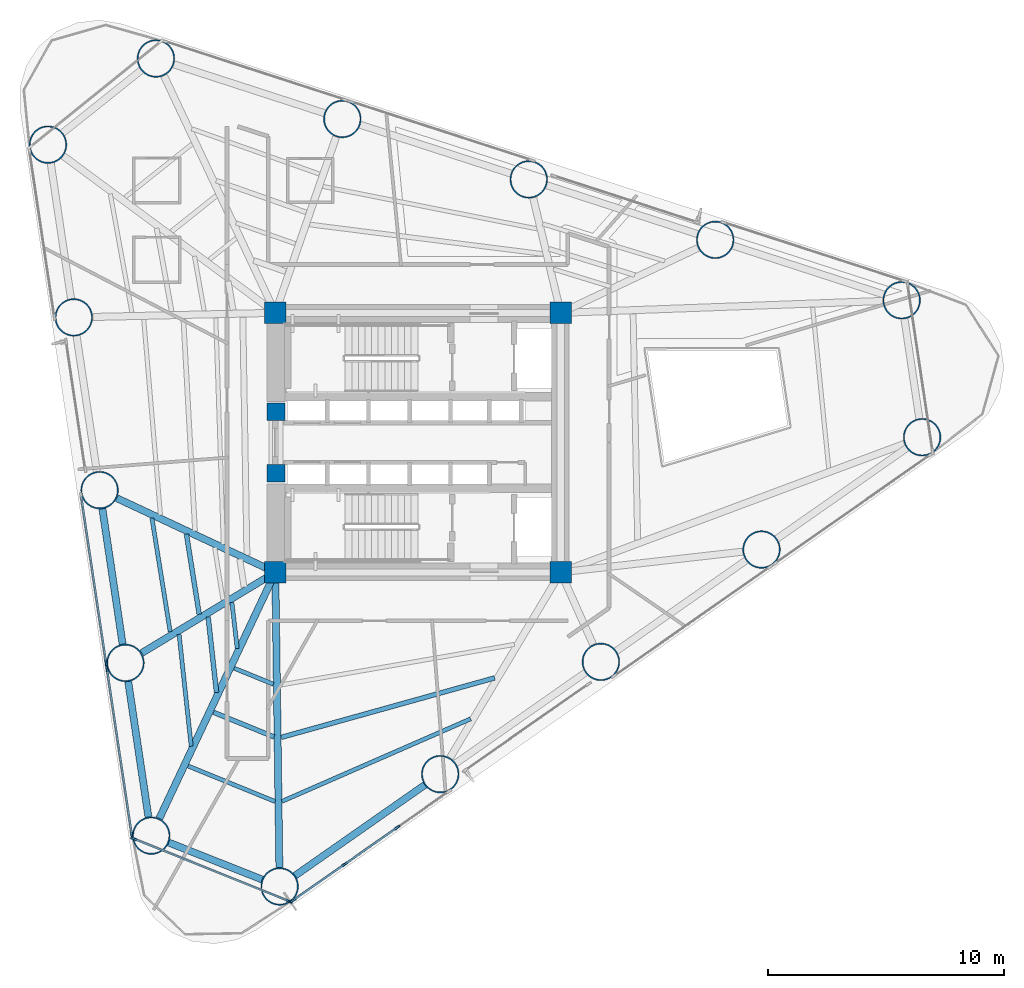
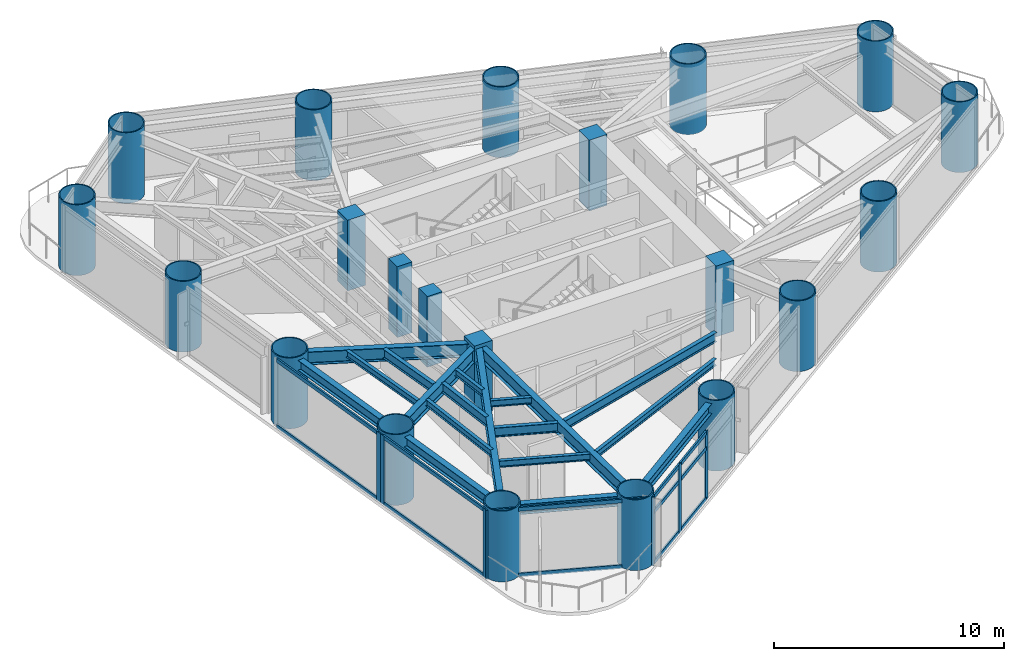
# One storey, part 1 of 9: 21 columns, 20 members, 18 beams, 4 elements without a shape of their own.
"""IFC4 building model written with IfcOpenShell, lengths in metres."""

from ifc_helpers import new_model, si_unit, direction, frame, origin, origin_2d, place, context, subcontext, project, spatial, rectangle, hollow_circle, i_section, extrude, source, transform, mapped, material, layer, layer_set, material_profile, profile_set, type_object, element, aggregate, save


model = new_model("IFC4")

# Units and contexts
model_context = context("Model", 3, precision=1e-05, world=origin(), true_north=direction((0.0, 1.0)))
body_context = subcontext(model_context, "Body", "Model", "MODEL_VIEW")
ifc_project = project(units=[si_unit("LENGTHUNIT", "METRE"), si_unit("AREAUNIT", "SQUARE_METRE"), si_unit("VOLUMEUNIT", "CUBIC_METRE"), si_unit("PLANEANGLEUNIT", "RADIAN"), si_unit("MASSUNIT", "GRAM", prefix="KILO")], contexts=[model_context])

# Site, building, storey
site_placement = place(None, origin())
site = spatial("IfcSite", under=ifc_project, at=site_placement, CompositionType="ELEMENT")
building_placement = place(site_placement, origin())
building = spatial("IfcBuilding", under=site, at=building_placement, Name="Yunling Apex Tower", CompositionType="ELEMENT")
storey_placement = place(building_placement, frame((0.0, 0.0, 66.050048828125)))
storey = spatial("IfcBuildingStorey", under=building, at=storey_placement, Name="L17", CompositionType="ELEMENT", Elevation=66.050048828125)

# Columns
ifc_material_1 = material(Name="Concrete C60", Category="concrete")
ifc_material_profile_1 = material_profile(ifc_material_1, rectangle(XDim=0.89990234375, YDim=0.89990234375, at=origin_2d()))
ifc_profile_set_1 = profile_set([ifc_material_profile_1], Name="Concrete C60")
column_type_1 = type_object("IfcColumnType", Name="PC-SRC-3", PredefinedType="COLUMN", material=ifc_profile_set_1)
shared_shape_1 = source(origin(), body_context, "Body", "SweptSolid", [
    extrude(rectangle(XDim=0.89990234375, YDim=0.89990234375, at=origin_2d()), origin(), (0.0, 0.0, 1.0), 3.75),
])
for number, where, z_axis, x_axis, name in (
    (1, (-6.050048828125, -5.5, 0.0), (0.0, 0.0, 1.0), (1.0, 0.0, 0.0), "L17 Core Spine Column CC-SW"),
    (2, (6.050048828125, -5.5, 0.0), (0.0, 0.0, 1.0), (1.0, 0.0, 0.0), "L17 Core Spine Column CC-SE"),
    (3, (6.050048828125, 5.5, 0.0), (0.0, 0.0, 1.0), (1.0, 0.0, 0.0), "L17 Core Spine Column CC-NE"),
    (4, (-6.050048828125, 5.5, 0.0), (0.0, 0.0, 1.0), (1.0, 0.0, 0.0), "L17 Core Spine Column CC-NW"),
):
    element("IfcColumn", number, at=place(storey_placement, frame(where, z_axis=z_axis, x_axis=x_axis)), inside=storey, type_object=column_type_1, Name=name, PredefinedType="COLUMN", context=body_context, shape_type="MappedRepresentation", body=[
        mapped(shared_shape_1, transform((0.0, 0.0, 0.0), scale=1.0)),
    ])
ifc_material_2 = material(Name="Concrete C50", Category="concrete")
ifc_material_profile_2 = material_profile(ifc_material_2, rectangle(XDim=0.75, YDim=0.75, at=origin_2d()))
ifc_profile_set_2 = profile_set([ifc_material_profile_2], Name="Concrete C50")
column_type_2 = type_object("IfcColumnType", Name="PC-SRC-4", PredefinedType="COLUMN", material=ifc_profile_set_2)
shared_shape_2 = source(origin(), body_context, "Body", "SweptSolid", [
    extrude(rectangle(XDim=0.75, YDim=0.75, at=origin_2d()), origin(), (0.0, 0.0, 1.0), 3.75),
])
for number, where, z_axis, x_axis, name in (
    (5, (-6.02490234375, -1.300048828125, 0.0), (0.0, 0.0, 1.0), (1.0, 0.0, 0.0), "L17 Core West Portal Jamb Column S"),
    (6, (-6.02490234375, 1.300048828125, 0.0), (0.0, 0.0, 1.0), (1.0, 0.0, 0.0), "L17 Core West Portal Jamb Column N"),
):
    element("IfcColumn", number, at=place(storey_placement, frame(where, z_axis=z_axis, x_axis=x_axis)), inside=storey, type_object=column_type_2, Name=name, PredefinedType="COLUMN", context=body_context, shape_type="MappedRepresentation", body=[
        mapped(shared_shape_2, transform((0.0, 0.0, 0.0), scale=1.0)),
    ])
ifc_material_3 = material(Name="Steel Q390GJC", Category="steel")
ifc_material_profile_3 = material_profile(ifc_material_3, hollow_circle(Radius=0.800048828125, WallThickness=0.054931640625, at=origin_2d()))
ifc_profile_set_3 = profile_set([ifc_material_profile_3], Name="Steel Q390GJC")
column_type_3 = type_object("IfcColumnType", Name="MC-CFST-1", PredefinedType="COLUMN", material=ifc_profile_set_3)
shared_shape_3 = source(origin(), body_context, "Body", "SweptSolid", [
    extrude(hollow_circle(Radius=0.800048828125, WallThickness=0.054931640625, at=origin_2d()), origin(), (0.0, 0.0, 1.0), 3.75),
])
for number, where, z_axis, x_axis, name in (
    (7, (-5.8681640625, -18.8193359375, 0.0), (0.0, 0.0, 1.0), (1.0, 0.0, 0.0), "L17 Perimeter CFST Mega-Column P01"),
    (8, (0.941650390625, -14.05810546875, 0.0), (0.0, 0.0, 1.0), (1.0, 0.0, 0.0), "L17 Perimeter CFST Mega-Column P02"),
    (9, (7.751708984375, -9.296875, 0.0), (0.0, 0.0, 1.0), (1.0, 0.0, 0.0), "L17 Perimeter CFST Mega-Column P03"),
    (10, (14.5615234375, -4.535400390625, 0.0), (0.0, 0.0, 1.0), (1.0, 0.0, 0.0), "L17 Perimeter CFST Mega-Column P04"),
    (11, (21.371337890625, 0.225830078125, 0.0), (0.0, 0.0, 1.0), (1.0, 0.0, 0.0), "L17 Perimeter CFST Mega-Column P05"),
    (12, (20.50341796875, 6.032470703125, 0.0), (0.0, 0.0, 1.0), (1.0, 0.0, 0.0), "L17 Perimeter CFST Mega-Column P06"),
    (13, (12.59912109375, 8.594482421875, 0.0), (0.0, 0.0, 1.0), (1.0, 0.0, 0.0), "L17 Perimeter CFST Mega-Column P07"),
    (14, (4.69482421875, 11.15673828125, 0.0), (0.0, 0.0, 1.0), (1.0, 0.0, 0.0), "L17 Perimeter CFST Mega-Column P08"),
    (15, (-3.209716796875, 13.718994140625, 0.0), (0.0, 0.0, 1.0), (1.0, 0.0, 0.0), "L17 Perimeter CFST Mega-Column P09"),
    (16, (-11.114013671875, 16.28125, 0.0), (0.0, 0.0, 1.0), (1.0, 0.0, 0.0), "L17 Perimeter CFST Mega-Column P10"),
    (17, (-15.689208984375, 12.62939453125, 0.0), (0.0, 0.0, 1.0), (1.0, 0.0, 0.0), "L17 Perimeter CFST Mega-Column P11"),
    (18, (-14.594482421875, 5.305908203125, 0.0), (0.0, 0.0, 1.0), (1.0, 0.0, 0.0), "L17 Perimeter CFST Mega-Column P12"),
    (19, (-13.5, -2.017578125, 0.0), (0.0, 0.0, 1.0), (1.0, 0.0, 0.0), "L17 Perimeter CFST Mega-Column P13"),
    (20, (-12.405517578125, -9.341064453125, 0.0), (0.0, 0.0, 1.0), (1.0, 0.0, 0.0), "L17 Perimeter CFST Mega-Column P14"),
    (21, (-11.31103515625, -16.66455078125, 0.0), (0.0, 0.0, 1.0), (1.0, 0.0, 0.0), "L17 Perimeter CFST Mega-Column P15"),
):
    element("IfcColumn", number, at=place(storey_placement, frame(where, z_axis=z_axis, x_axis=x_axis)), inside=storey, type_object=column_type_3, Name=name, PredefinedType="COLUMN", context=body_context, shape_type="MappedRepresentation", body=[
        mapped(shared_shape_3, transform((0.0, 0.0, 0.0), scale=1.0)),
    ])

# Beams
ifc_material_4 = material(Name="Steel Q355B", Category="steel")
ifc_material_profile_4 = material_profile(ifc_material_4, i_section(OverallWidth=0.300048828125, OverallDepth=0.5400390625, WebThickness=0.011962890625, FlangeThickness=0.02001953125, FilletRadius=0.02392578125, at=origin_2d()))
ifc_profile_set_4 = profile_set([ifc_material_profile_4], Name="Steel Q355B")
beam_type_1 = type_object("IfcBeamType", Name="BP-SPN-1", PredefinedType="SPANDREL", material=ifc_profile_set_4)
shared_shape_4 = source(origin(), body_context, "Body", "SweptSolid", [
    extrude(i_section(OverallWidth=0.300048828125, OverallDepth=0.5400390625, WebThickness=0.011962890625, FlangeThickness=0.02001953125, FilletRadius=0.02392578125, at=origin_2d()), origin(), (0.0, 0.0, 1.0), 6.721435546875),
])
beam_1_placement = place(storey_placement, frame((-5.217529296875, -18.364501953125, 3.294921875), z_axis=(0.81955772083, 0.572996633697, 0.0), x_axis=(-0.572996633697, 0.81955772083, 0.0)))
element("IfcBeam", 22, at=beam_1_placement, inside=storey, type_object=beam_type_1, Name="L17 Perimeter Spandrel Beam 1", PredefinedType="SPANDREL", context=body_context, shape_type="MappedRepresentation", body=[
    mapped(shared_shape_4, transform((0.0, 0.0, 0.0), scale=1.0)),
])
shared_shape_5 = source(origin(), body_context, "Body", "SweptSolid", [
    extrude(i_section(OverallWidth=0.300048828125, OverallDepth=0.5400390625, WebThickness=0.011962890625, FlangeThickness=0.02001953125, FilletRadius=0.02392578125, at=origin_2d()), origin(), (0.0, 0.0, 1.0), 4.265869140625),
])
beam_2_placement = place(storey_placement, frame((-10.57275390625, -16.956787109375, 3.294921875), z_axis=(0.929781313093, -0.368112360323, 0.0), x_axis=(0.368112360323, 0.929781313093, 0.0)))
element("IfcBeam", 23, at=beam_2_placement, inside=storey, type_object=beam_type_1, Name="L17 Perimeter Spandrel Beam 15", PredefinedType="SPANDREL", context=body_context, shape_type="MappedRepresentation", body=[
    mapped(shared_shape_5, transform((0.0, 0.0, 0.0), scale=1.0)),
])
shared_shape_6 = source(origin(), body_context, "Body", "SweptSolid", [
    extrude(i_section(OverallWidth=0.300048828125, OverallDepth=0.5400390625, WebThickness=0.011962890625, FlangeThickness=0.02001953125, FilletRadius=0.02392578125, at=origin_2d()), origin(), (0.0, 0.0, 1.0), 5.81689453125),
])
for number, where, z_axis, x_axis, name in (
    (24, (-13.3828125, -2.802978515625, 3.294921875), (0.147823230204, -0.989013797989, 0.0), (0.989013797989, 0.147823230204, 0.0), "L17 Perimeter Spandrel Beam 13"),
    (25, (-12.2880859375, -10.12646484375, 3.294921875), (0.14778217558, -0.989019933359, 0.0), (0.989019933359, 0.14778217558, 0.0), "L17 Perimeter Spandrel Beam 14"),
):
    element("IfcBeam", number, at=place(storey_placement, frame(where, z_axis=z_axis, x_axis=x_axis)), inside=storey, type_object=beam_type_1, Name=name, PredefinedType="SPANDREL", context=body_context, shape_type="MappedRepresentation", body=[
        mapped(shared_shape_6, transform((0.0, 0.0, 0.0), scale=1.0)),
    ])
ifc_material_profile_5 = material_profile(ifc_material_4, i_section(OverallWidth=0.300048828125, OverallDepth=0.699951171875, WebThickness=0.012939453125, FlangeThickness=0.02392578125, FilletRadius=0.02587890625, at=origin_2d()))
ifc_profile_set_5 = profile_set([ifc_material_profile_5], Name="Steel Q355B")
beam_type_2 = type_object("IfcBeamType", Name="BG-PRI-3", PredefinedType="USERDEFINED", material=ifc_profile_set_5)
shared_shape_7 = source(origin(), body_context, "Body", "SweptSolid", [
    extrude(i_section(OverallWidth=0.300048828125, OverallDepth=0.699951171875, WebThickness=0.012939453125, FlangeThickness=0.02392578125, FilletRadius=0.02587890625, at=origin_2d()), origin(), (0.0, 0.0, 1.0), 12.4326171875),
])
beam_3_placement = place(storey_placement, frame((-5.879150390625, -18.011474609375, 3.21484375), z_axis=(-0.013647857779, 0.999906863652, 0.0), x_axis=(-0.999906863652, -0.013647857779, 0.0)))
element("IfcBeam", 26, at=beam_3_placement, inside=storey, type_object=beam_type_2, Name="L17 Radial Primary Girder R01", ObjectType="GIRDER", PredefinedType="USERDEFINED", context=body_context, shape_type="MappedRepresentation", body=[
    mapped(shared_shape_7, transform((0.0, 0.0, 0.0), scale=1.0)),
])
shared_shape_8 = source(origin(), body_context, "Body", "SweptSolid", [
    extrude(i_section(OverallWidth=0.300048828125, OverallDepth=0.699951171875, WebThickness=0.012939453125, FlangeThickness=0.02392578125, FilletRadius=0.02587890625, at=origin_2d()), origin(), (0.0, 0.0, 1.0), 7.335693359375),
])
beam_4_placement = place(storey_placement, frame((-12.76806640625, -2.35986328125, 3.21484375), z_axis=(0.905923640783, -0.423441090437, 0.0), x_axis=(0.423441090437, 0.905923640783, 0.0)))
element("IfcBeam", 27, at=beam_4_placement, inside=storey, type_object=beam_type_2, Name="L17 Radial Primary Girder R13", ObjectType="GIRDER", PredefinedType="USERDEFINED", context=body_context, shape_type="MappedRepresentation", body=[
    mapped(shared_shape_8, transform((0.0, 0.0, 0.0), scale=1.0)),
])
shared_shape_9 = source(origin(), body_context, "Body", "SweptSolid", [
    extrude(i_section(OverallWidth=0.300048828125, OverallDepth=0.699951171875, WebThickness=0.012939453125, FlangeThickness=0.02392578125, FilletRadius=0.02587890625, at=origin_2d()), origin(), (0.0, 0.0, 1.0), 6.5380859375),
])
beam_5_placement = place(storey_placement, frame((-11.714111328125, -8.923095703125, 3.21484375), z_axis=(0.855857690559, 0.517211381847, 0.0), x_axis=(-0.517211381847, 0.855857690559, 0.0)))
element("IfcBeam", 28, at=beam_5_placement, inside=storey, type_object=beam_type_2, Name="L17 Radial Primary Girder R14", ObjectType="GIRDER", PredefinedType="USERDEFINED", context=body_context, shape_type="MappedRepresentation", body=[
    mapped(shared_shape_9, transform((0.0, 0.0, 0.0), scale=1.0)),
])
shared_shape_10 = source(origin(), body_context, "Body", "SweptSolid", [
    extrude(i_section(OverallWidth=0.300048828125, OverallDepth=0.699951171875, WebThickness=0.012939453125, FlangeThickness=0.02392578125, FilletRadius=0.02587890625, at=origin_2d()), origin(), (0.0, 0.0, 1.0), 11.4541015625),
])
beam_6_placement = place(storey_placement, frame((-10.966796875, -15.93359375, 3.21484375), z_axis=(0.426297901301, 0.904582831667, 0.0), x_axis=(-0.904582831667, 0.426297901301, 0.0)))
element("IfcBeam", 29, at=beam_6_placement, inside=storey, type_object=beam_type_2, Name="L17 Radial Primary Girder R15", ObjectType="GIRDER", PredefinedType="USERDEFINED", context=body_context, shape_type="MappedRepresentation", body=[
    mapped(shared_shape_10, transform((0.0, 0.0, 0.0), scale=1.0)),
])
ifc_material_profile_6 = material_profile(ifc_material_4, i_section(OverallWidth=0.199951171875, OverallDepth=0.5, WebThickness=0.010009765625, FlangeThickness=0.01611328125, FilletRadius=0.02001953125, at=origin_2d()))
ifc_profile_set_6 = profile_set([ifc_material_profile_6], Name="Steel Q355B")
beam_type_3 = type_object("IfcBeamType", Name="BS-SEC-2", PredefinedType="BEAM", material=ifc_profile_set_6)
shared_shape_11 = source(origin(), body_context, "Body", "SweptSolid", [
    extrude(i_section(OverallWidth=0.199951171875, OverallDepth=0.5, WebThickness=0.010009765625, FlangeThickness=0.01611328125, FilletRadius=0.02001953125, at=origin_2d()), origin(), (0.0, 0.0, 1.0), 9.3935546875),
])
beam_7_placement = place(storey_placement, frame((-5.7998046875, -12.498779296875, 3.31494140625), z_axis=(0.963300137935, 0.268426608693, 0.0), x_axis=(-0.268426608693, 0.963300137935, 0.0)))
element("IfcBeam", 30, at=beam_7_placement, inside=storey, type_object=beam_type_3, Name="L17 Composite Floor Beam BS-1", PredefinedType="BEAM", context=body_context, shape_type="MappedRepresentation", body=[
    mapped(shared_shape_11, transform((0.0, 0.0, 0.0), scale=1.0)),
])
ifc_material_profile_7 = material_profile(ifc_material_4, i_section(OverallWidth=0.175048828125, OverallDepth=0.35009765625, WebThickness=0.007080078125, FlangeThickness=0.010986328125, FilletRadius=0.013916015625, at=origin_2d()))
ifc_profile_set_7 = profile_set([ifc_material_profile_7], Name="Steel Q355B")
beam_type_4 = type_object("IfcBeamType", Name="BJ-JST-1", PredefinedType="JOIST", material=ifc_profile_set_7)
shared_shape_12 = source(origin(), body_context, "Body", "SweptSolid", [
    extrude(i_section(OverallWidth=0.175048828125, OverallDepth=0.35009765625, WebThickness=0.007080078125, FlangeThickness=0.010986328125, FilletRadius=0.013916015625, at=origin_2d()), origin(), (0.0, 0.0, 1.0), 8.734375),
])
beam_8_placement = place(storey_placement, frame((-5.77001953125, -15.21240234375, 3.389892578125), z_axis=(0.916252252871, 0.400601808668, 0.0), x_axis=(-0.400601808668, 0.916252252871, 0.0)))
element("IfcBeam", 31, at=beam_8_placement, inside=storey, type_object=beam_type_4, Name="L17 Composite Floor Joist BJ1-1", PredefinedType="JOIST", context=body_context, shape_type="MappedRepresentation", body=[
    mapped(shared_shape_12, transform((0.0, 0.0, 0.0), scale=1.0)),
])
shared_shape_13 = source(origin(), body_context, "Body", "SweptSolid", [
    extrude(i_section(OverallWidth=0.199951171875, OverallDepth=0.5, WebThickness=0.010009765625, FlangeThickness=0.01611328125, FilletRadius=0.02001953125, at=origin_2d()), origin(), (0.0, 0.0, 1.0), 3.435546875),
])
beam_9_placement = place(storey_placement, frame((-9.81884765625, -3.884521484375, 3.31494140625), z_axis=(0.157619096627, -0.987499985002, 0.0), x_axis=(0.987499985002, 0.157619096627, 0.0)))
element("IfcBeam", 32, at=beam_9_placement, inside=storey, type_object=beam_type_3, Name="L17 Composite Floor Beam BS-13", PredefinedType="BEAM", context=body_context, shape_type="MappedRepresentation", body=[
    mapped(shared_shape_13, transform((0.0, 0.0, 0.0), scale=1.0)),
])
shared_shape_14 = source(origin(), body_context, "Body", "SweptSolid", [
    extrude(i_section(OverallWidth=0.175048828125, OverallDepth=0.35009765625, WebThickness=0.007080078125, FlangeThickness=0.010986328125, FilletRadius=0.013916015625, at=origin_2d()), origin(), (0.0, 0.0, 1.0), 4.881591796875),
])
beam_10_placement = place(storey_placement, frame((-11.28076171875, -3.201171875, 3.389892578125), z_axis=(0.158240169421, -0.987400652614, 0.0), x_axis=(0.987400652614, 0.158240169421, 0.0)))
element("IfcBeam", 33, at=beam_10_placement, inside=storey, type_object=beam_type_4, Name="L17 Composite Floor Joist BJ1-13", PredefinedType="JOIST", context=body_context, shape_type="MappedRepresentation", body=[
    mapped(shared_shape_14, transform((0.0, 0.0, 0.0), scale=1.0)),
])
shared_shape_15 = source(origin(), body_context, "Body", "SweptSolid", [
    extrude(i_section(OverallWidth=0.199951171875, OverallDepth=0.5, WebThickness=0.010009765625, FlangeThickness=0.01611328125, FilletRadius=0.02001953125, at=origin_2d()), origin(), (0.0, 0.0, 1.0), 3.222412109375),
])
beam_11_placement = place(storey_placement, frame((-8.898681640625, -7.391357421875, 3.31494140625), z_axis=(0.110315104592, -0.993896663491, 0.0), x_axis=(0.993896663491, 0.110315104592, 0.0)))
element("IfcBeam", 34, at=beam_11_placement, inside=storey, type_object=beam_type_3, Name="L17 Composite Floor Beam BS-14", PredefinedType="BEAM", context=body_context, shape_type="MappedRepresentation", body=[
    mapped(shared_shape_15, transform((0.0, 0.0, 0.0), scale=1.0)),
])
shared_shape_16 = source(origin(), body_context, "Body", "SweptSolid", [
    extrude(i_section(OverallWidth=0.175048828125, OverallDepth=0.35009765625, WebThickness=0.007080078125, FlangeThickness=0.010986328125, FilletRadius=0.013916015625, at=origin_2d()), origin(), (0.0, 0.0, 1.0), 4.765869140625),
])
beam_12_placement = place(storey_placement, frame((-10.130126953125, -8.135498046875, 3.389892578125), z_axis=(0.107732282993, -0.994179941058, 0.0), x_axis=(0.994179941058, 0.107732282993, 0.0)))
element("IfcBeam", 35, at=beam_12_placement, inside=storey, type_object=beam_type_4, Name="L17 Composite Floor Joist BJ1-14", PredefinedType="JOIST", context=body_context, shape_type="MappedRepresentation", body=[
    mapped(shared_shape_16, transform((0.0, 0.0, 0.0), scale=1.0)),
])
shared_shape_17 = source(origin(), body_context, "Body", "SweptSolid", [
    extrude(i_section(OverallWidth=0.175048828125, OverallDepth=0.35009765625, WebThickness=0.007080078125, FlangeThickness=0.010986328125, FilletRadius=0.013916015625, at=origin_2d()), origin(), (0.0, 0.0, 1.0), 1.95947265625),
])
beam_13_placement = place(storey_placement, frame((-7.890625, -6.782470703125, 3.389892578125), z_axis=(0.11512063256, -0.993351518829, 0.0), x_axis=(0.993351518829, 0.11512063256, 0.0)))
element("IfcBeam", 36, at=beam_13_placement, inside=storey, type_object=beam_type_4, Name="L17 Composite Floor Joist BJ3-14", PredefinedType="JOIST", context=body_context, shape_type="MappedRepresentation", body=[
    mapped(shared_shape_17, transform((0.0, 0.0, 0.0), scale=1.0)),
])
shared_shape_18 = source(origin(), body_context, "Body", "SweptSolid", [
    extrude(i_section(OverallWidth=0.199951171875, OverallDepth=0.5, WebThickness=0.010009765625, FlangeThickness=0.01611328125, FilletRadius=0.02001953125, at=origin_2d()), origin(), (0.0, 0.0, 1.0), 2.77294921875),
])
beam_14_placement = place(storey_placement, frame((-8.670166015625, -11.43505859375, 3.31494140625), z_axis=(0.926108309986, -0.377257734413, 0.0), x_axis=(0.377257734413, 0.926108309986, 0.0)))
element("IfcBeam", 37, at=beam_14_placement, inside=storey, type_object=beam_type_3, Name="L17 Composite Floor Beam BS-15", PredefinedType="BEAM", context=body_context, shape_type="MappedRepresentation", body=[
    mapped(shared_shape_18, transform((0.0, 0.0, 0.0), scale=1.0)),
])
shared_shape_19 = source(origin(), body_context, "Body", "SweptSolid", [
    extrude(i_section(OverallWidth=0.175048828125, OverallDepth=0.35009765625, WebThickness=0.007080078125, FlangeThickness=0.010986328125, FilletRadius=0.013916015625, at=origin_2d()), origin(), (0.0, 0.0, 1.0), 3.97412109375),
])
beam_15_placement = place(storey_placement, frame((-9.744384765625, -13.714599609375, 3.389892578125), z_axis=(0.925887115862, -0.377800276178, 0.0), x_axis=(0.377800276178, 0.925887115862, 0.0)))
element("IfcBeam", 38, at=beam_15_placement, inside=storey, type_object=beam_type_4, Name="L17 Composite Floor Joist BJ1-15", PredefinedType="JOIST", context=body_context, shape_type="MappedRepresentation", body=[
    mapped(shared_shape_19, transform((0.0, 0.0, 0.0), scale=1.0)),
])
shared_shape_20 = source(origin(), body_context, "Body", "SweptSolid", [
    extrude(i_section(OverallWidth=0.175048828125, OverallDepth=0.35009765625, WebThickness=0.007080078125, FlangeThickness=0.010986328125, FilletRadius=0.013916015625, at=origin_2d()), origin(), (0.0, 0.0, 1.0), 1.790283203125),
])
beam_16_placement = place(storey_placement, frame((-7.791259765625, -9.56982421875, 3.389892578125), z_axis=(0.926469549023, -0.376369731425, 0.0), x_axis=(0.376369731425, 0.926469549023, 0.0)))
element("IfcBeam", 39, at=beam_16_placement, inside=storey, type_object=beam_type_4, Name="L17 Composite Floor Joist BJ3-15", PredefinedType="JOIST", context=body_context, shape_type="MappedRepresentation", body=[
    mapped(shared_shape_20, transform((0.0, 0.0, 0.0), scale=1.0)),
])

# Curtain wall, members
ifc_material_5 = material(Name="Bronze anodised aluminium", Category="aluminium")
ifc_layer = layer(ifc_material_5, 0.260009765625)
ifc_layer_set = layer_set([ifc_layer], Name="Bronze anodised aluminium")
curtain_wall_type = type_object("IfcCurtainWallType", Name="CW-SYS-2", PredefinedType="NOTDEFINED", material=ifc_layer_set)
curtain_wall_1_placement = place(storey_placement, origin())
curtain_wall_1 = element("IfcCurtainWall", 40, at=curtain_wall_1_placement, inside=storey, type_object=curtain_wall_type, Name="CW-L17-F1-B1", PredefinedType="NOTDEFINED")
ifc_material_profile_8 = material_profile(ifc_material_5, rectangle(XDim=0.0849609375, YDim=0.260009765625, at=origin_2d()))
ifc_profile_set_8 = profile_set([ifc_material_profile_8], Name="Bronze anodised aluminium")
member_type_1 = type_object("IfcMemberType", Name="CW-MUL-2", PredefinedType="MULLION", material=ifc_profile_set_8)
shared_shape_21 = source(origin(), body_context, "Body", "SweptSolid", [
    extrude(rectangle(XDim=0.0849609375, YDim=0.260009765625, at=origin_2d()), origin(), (0.0, 0.0, 1.0), 3.6650390625),
])
member_1_placement = place(storey_placement, frame((-5.3037109375, -19.412841796875, -0.050048828125), z_axis=(0.0, 0.0, 1.0), x_axis=(-0.573004358875, 0.819552319691, 0.0)))
member_1 = element("IfcMember", 41, at=member_1_placement, type_object=member_type_1, Name="CW-SYS-2 mullion 1", PredefinedType="MULLION", context=body_context, shape_type="MappedRepresentation", body=[
    mapped(shared_shape_21, transform((0.0, 0.0, 0.0), scale=1.0)),
])
member_2_placement = place(storey_placement, frame((-3.1123046875, -17.880859375, -0.050048828125), z_axis=(0.0, 0.0, 1.0), x_axis=(-0.573004358875, 0.819552319691, 0.0)))
member_2 = element("IfcMember", 42, at=member_2_placement, type_object=member_type_1, Name="CW-SYS-2 mullion 2", PredefinedType="MULLION", context=body_context, shape_type="MappedRepresentation", body=[
    mapped(shared_shape_21, transform((0.0, 0.0, 0.0), scale=1.0)),
])
member_3_placement = place(storey_placement, frame((-0.885986328125, -16.32421875, -0.050048828125), z_axis=(0.0, 0.0, 1.0), x_axis=(-0.573004358875, 0.819552319691, 0.0)))
member_3 = element("IfcMember", 43, at=member_3_placement, type_object=member_type_1, Name="CW-SYS-2 mullion 3", PredefinedType="MULLION", context=body_context, shape_type="MappedRepresentation", body=[
    mapped(shared_shape_21, transform((0.0, 0.0, 0.0), scale=1.0)),
])

# Curtain wall, member
curtain_wall_2_placement = place(storey_placement, origin())
curtain_wall_2 = element("IfcCurtainWall", 44, at=curtain_wall_2_placement, inside=storey, type_object=curtain_wall_type, Name="CW-L17-F3-B3", PredefinedType="NOTDEFINED")
member_4_placement = place(storey_placement, frame((-13.224853515625, -9.339599609375, -0.050048828125), z_axis=(0.0, 0.0, 1.0), x_axis=(0.98901508166, 0.147814641525, 0.0)))
member_4 = element("IfcMember", 45, at=member_4_placement, type_object=member_type_1, Name="CW-SYS-2 mullion 2", PredefinedType="MULLION", context=body_context, shape_type="MappedRepresentation", body=[
    mapped(shared_shape_21, transform((0.0, 0.0, 0.0), scale=1.0)),
])

# Curtain wall, members
curtain_wall_3_placement = place(storey_placement, origin())
curtain_wall_3 = element("IfcCurtainWall", 46, at=curtain_wall_3_placement, inside=storey, type_object=curtain_wall_type, Name="CW-L17-F3-B4", PredefinedType="NOTDEFINED")
member_5_placement = place(storey_placement, frame((-13.1884765625, -9.58203125, -0.050048828125), z_axis=(0.0, 0.0, 1.0), x_axis=(0.989017099422, 0.14780114022, 0.0)))
member_5 = element("IfcMember", 47, at=member_5_placement, type_object=member_type_1, Name="CW-SYS-2 mullion 1", PredefinedType="MULLION", context=body_context, shape_type="MappedRepresentation", body=[
    mapped(shared_shape_21, transform((0.0, 0.0, 0.0), scale=1.0)),
])
member_6_placement = place(storey_placement, frame((-12.13037109375, -16.6630859375, -0.050048828125), z_axis=(0.0, 0.0, 1.0), x_axis=(0.989017099422, 0.14780114022, 0.0)))
member_6 = element("IfcMember", 48, at=member_6_placement, type_object=member_type_1, Name="CW-SYS-2 mullion 2", PredefinedType="MULLION", context=body_context, shape_type="MappedRepresentation", body=[
    mapped(shared_shape_21, transform((0.0, 0.0, 0.0), scale=1.0)),
])

curtain_wall_4_placement = place(storey_placement, origin())
curtain_wall_4 = element("IfcCurtainWall", 49, at=curtain_wall_4_placement, inside=storey, type_object=curtain_wall_type, Name="CW-L17-CRN3", PredefinedType="NOTDEFINED")
member_7_placement = place(storey_placement, frame((-12.052978515625, -16.79736328125, -0.050048828125), z_axis=(0.0, 0.0, 1.0), x_axis=(0.373143693329, 0.927773562961, 0.0)))
member_7 = element("IfcMember", 50, at=member_7_placement, type_object=member_type_1, Name="CW-SYS-2 mullion 1", PredefinedType="MULLION", context=body_context, shape_type="MappedRepresentation", body=[
    mapped(shared_shape_21, transform((0.0, 0.0, 0.0), scale=1.0)),
])
member_8_placement = place(storey_placement, frame((-5.454833984375, -19.450927734375, -0.050048828125), z_axis=(0.0, 0.0, 1.0), x_axis=(0.373143693329, 0.927773562961, 0.0)))
member_8 = element("IfcMember", 51, at=member_8_placement, type_object=member_type_1, Name="CW-SYS-2 mullion 2", PredefinedType="MULLION", context=body_context, shape_type="MappedRepresentation", body=[
    mapped(shared_shape_21, transform((0.0, 0.0, 0.0), scale=1.0)),
])

# Member
ifc_material_profile_9 = material_profile(ifc_material_5, rectangle(XDim=0.0849609375, YDim=0.199951171875, at=origin_2d()))
ifc_profile_set_9 = profile_set([ifc_material_profile_9], Name="Bronze anodised aluminium")
member_type_2 = type_object("IfcMemberType", Name="CW-TRN-2", PredefinedType="USERDEFINED", material=ifc_profile_set_9)
shared_shape_22 = source(origin(), body_context, "Body", "SweptSolid", [
    extrude(rectangle(XDim=0.0849609375, YDim=0.199951171875, at=origin_2d()), origin(), (0.0, 0.0, 1.0), 2.597412109375),
])
member_9_placement = place(storey_placement, frame((-5.272216796875, -19.39111328125, 0.04248046875), z_axis=(0.819510013096, 0.573064864073, 0.0), x_axis=(-0.573064864073, 0.819510013096, 0.0)))
member_9 = element("IfcMember", 52, at=member_9_placement, type_object=member_type_2, Name="CW-SYS-2 transom 1.1", ObjectType="TRANSOM", PredefinedType="USERDEFINED", context=body_context, shape_type="MappedRepresentation", body=[
    mapped(shared_shape_22, transform((0.0, 0.0, 0.0), scale=1.0)),
])

member_10_placement = place(storey_placement, frame((-5.272216796875, -19.39111328125, 2.71484375), z_axis=(0.819510013096, 0.573064864073, 0.0), x_axis=(-0.573064864073, 0.819510013096, 0.0)))
member_10 = element("IfcMember", 53, at=member_10_placement, type_object=member_type_2, Name="CW-SYS-2 transom 1.2", ObjectType="TRANSOM", PredefinedType="USERDEFINED", context=body_context, shape_type="MappedRepresentation", body=[
    mapped(shared_shape_22, transform((0.0, 0.0, 0.0), scale=1.0)),
])

member_11_placement = place(storey_placement, frame((-5.272216796875, -19.39111328125, 3.5224609375), z_axis=(0.819510013096, 0.573064864073, 0.0), x_axis=(-0.573064864073, 0.819510013096, 0.0)))
member_11 = element("IfcMember", 54, at=member_11_placement, type_object=member_type_2, Name="CW-SYS-2 transom 1.3", ObjectType="TRANSOM", PredefinedType="USERDEFINED", context=body_context, shape_type="MappedRepresentation", body=[
    mapped(shared_shape_22, transform((0.0, 0.0, 0.0), scale=1.0)),
])

shared_shape_23 = source(origin(), body_context, "Body", "SweptSolid", [
    extrude(rectangle(XDim=0.0849609375, YDim=0.199951171875, at=origin_2d()), origin(), (0.0, 0.0, 1.0), 2.639892578125),
])
member_12_placement = place(storey_placement, frame((-3.080810546875, -17.85888671875, 0.04248046875), z_axis=(0.81955329767, 0.573002960095, 0.0), x_axis=(-0.573002960095, 0.81955329767, 0.0)))
member_12 = element("IfcMember", 55, at=member_12_placement, type_object=member_type_2, Name="CW-SYS-2 transom 2.1", ObjectType="TRANSOM", PredefinedType="USERDEFINED", context=body_context, shape_type="MappedRepresentation", body=[
    mapped(shared_shape_23, transform((0.0, 0.0, 0.0), scale=1.0)),
])

member_13_placement = place(storey_placement, frame((-3.080810546875, -17.85888671875, 2.71484375), z_axis=(0.81955329767, 0.573002960095, 0.0), x_axis=(-0.573002960095, 0.81955329767, 0.0)))
member_13 = element("IfcMember", 56, at=member_13_placement, type_object=member_type_2, Name="CW-SYS-2 transom 2.2", ObjectType="TRANSOM", PredefinedType="USERDEFINED", context=body_context, shape_type="MappedRepresentation", body=[
    mapped(shared_shape_23, transform((0.0, 0.0, 0.0), scale=1.0)),
])

member_14_placement = place(storey_placement, frame((-3.080810546875, -17.85888671875, 3.5224609375), z_axis=(0.81955329767, 0.573002960095, 0.0), x_axis=(-0.573002960095, 0.81955329767, 0.0)))
member_14 = element("IfcMember", 57, at=member_14_placement, type_object=member_type_2, Name="CW-SYS-2 transom 2.3", ObjectType="TRANSOM", PredefinedType="USERDEFINED", context=body_context, shape_type="MappedRepresentation", body=[
    mapped(shared_shape_23, transform((0.0, 0.0, 0.0), scale=1.0)),
])

aggregate(curtain_wall_1, [member_1, member_2, member_3, member_9, member_10, member_11, member_12, member_13, member_14])

shared_shape_24 = source(origin(), body_context, "Body", "SweptSolid", [
    extrude(rectangle(XDim=0.0849609375, YDim=0.199951171875, at=origin_2d()), origin(), (0.0, 0.0, 1.0), 7.03515625),
])
member_15_placement = place(storey_placement, frame((-12.017578125, -16.8115234375, 0.04248046875), z_axis=(0.927768998615, -0.373155041784, 0.0), x_axis=(0.373155041784, 0.927768998615, 0.0)))
member_15 = element("IfcMember", 58, at=member_15_placement, type_object=member_type_2, Name="CW-SYS-2 transom 1.1", ObjectType="TRANSOM", PredefinedType="USERDEFINED", context=body_context, shape_type="MappedRepresentation", body=[
    mapped(shared_shape_24, transform((0.0, 0.0, 0.0), scale=1.0)),
])

member_16_placement = place(storey_placement, frame((-12.017578125, -16.8115234375, 3.5224609375), z_axis=(0.927768998615, -0.373155041784, 0.0), x_axis=(0.373155041784, 0.927768998615, 0.0)))
member_16 = element("IfcMember", 59, at=member_16_placement, type_object=member_type_2, Name="CW-SYS-2 transom 1.2", ObjectType="TRANSOM", PredefinedType="USERDEFINED", context=body_context, shape_type="MappedRepresentation", body=[
    mapped(shared_shape_24, transform((0.0, 0.0, 0.0), scale=1.0)),
])

aggregate(curtain_wall_4, [member_7, member_8, member_15, member_16])

shared_shape_25 = source(origin(), body_context, "Body", "SweptSolid", [
    extrude(rectangle(XDim=0.0849609375, YDim=0.199951171875, at=origin_2d()), origin(), (0.0, 0.0, 1.0), 7.08349609375),
])
member_17_placement = place(storey_placement, frame((-14.27734375, -2.296142578125, 0.04248046875), z_axis=(0.147792672874, -0.989018364766, 0.0), x_axis=(0.989018364766, 0.147792672874, 0.0)))
member_17 = element("IfcMember", 60, at=member_17_placement, type_object=member_type_2, Name="CW-SYS-2 transom 1.1", ObjectType="TRANSOM", PredefinedType="USERDEFINED", context=body_context, shape_type="MappedRepresentation", body=[
    mapped(shared_shape_25, transform((0.0, 0.0, 0.0), scale=1.0)),
])

member_18_placement = place(storey_placement, frame((-14.27734375, -2.296142578125, 3.5224609375), z_axis=(0.147792672874, -0.989018364766, 0.0), x_axis=(0.989018364766, 0.147792672874, 0.0)))
member_18 = element("IfcMember", 61, at=member_18_placement, type_object=member_type_2, Name="CW-SYS-2 transom 1.2", ObjectType="TRANSOM", PredefinedType="USERDEFINED", context=body_context, shape_type="MappedRepresentation", body=[
    mapped(shared_shape_25, transform((0.0, 0.0, 0.0), scale=1.0)),
])

aggregate(curtain_wall_2, [member_4, member_17, member_18])

shared_shape_26 = source(origin(), body_context, "Body", "SweptSolid", [
    extrude(rectangle(XDim=0.0849609375, YDim=0.199951171875, at=origin_2d()), origin(), (0.0, 0.0, 1.0), 7.083251953125),
])
member_19_placement = place(storey_placement, frame((-13.182861328125, -9.619873046875, 0.04248046875), z_axis=(0.147797711012, -0.989017611886, 0.0), x_axis=(0.989017611886, 0.147797711012, 0.0)))
member_19 = element("IfcMember", 62, at=member_19_placement, type_object=member_type_2, Name="CW-SYS-2 transom 1.1", ObjectType="TRANSOM", PredefinedType="USERDEFINED", context=body_context, shape_type="MappedRepresentation", body=[
    mapped(shared_shape_26, transform((0.0, 0.0, 0.0), scale=1.0)),
])

member_20_placement = place(storey_placement, frame((-13.182861328125, -9.619873046875, 3.5224609375), z_axis=(0.147797711012, -0.989017611886, 0.0), x_axis=(0.989017611886, 0.147797711012, 0.0)))
member_20 = element("IfcMember", 63, at=member_20_placement, type_object=member_type_2, Name="CW-SYS-2 transom 1.2", ObjectType="TRANSOM", PredefinedType="USERDEFINED", context=body_context, shape_type="MappedRepresentation", body=[
    mapped(shared_shape_26, transform((0.0, 0.0, 0.0), scale=1.0)),
])

aggregate(curtain_wall_3, [member_5, member_6, member_19, member_20])

save(model, "model.ifc")
